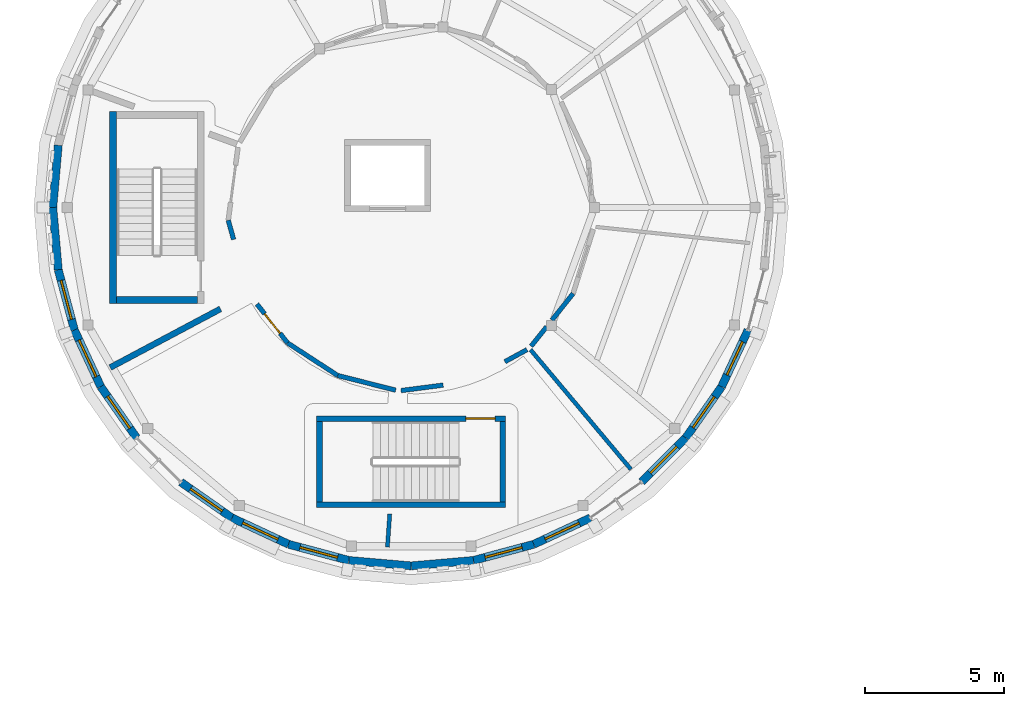
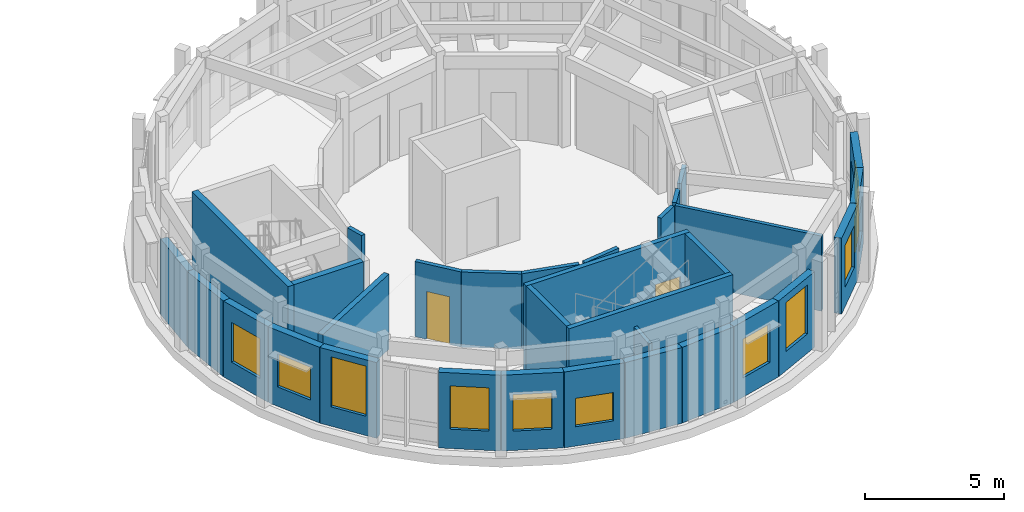
# One storey, part 32 of 58: 32 walls, 11 windows, 2 doors, 13 openings.
"""IFC4 building model written with IfcOpenShell, lengths in metres."""

from ifc_helpers import new_model, si_unit, direction, frame, frame_2d, origin, place, context, subcontext, project, spatial, rectangle, extrude, material, layer, layer_set, type_object, element, fill, save


model = new_model("IFC4")

# Units and contexts
model_context = context("Model", 3, precision=1e-05, world=origin(), true_north=direction((0.0, 1.0)))
body_context = subcontext(model_context, "Body", "Model", "MODEL_VIEW")
ifc_project = project(units=[si_unit("LENGTHUNIT", "METRE"), si_unit("AREAUNIT", "SQUARE_METRE"), si_unit("VOLUMEUNIT", "CUBIC_METRE"), si_unit("PLANEANGLEUNIT", "RADIAN"), si_unit("MASSUNIT", "GRAM", prefix="KILO")], contexts=[model_context])

# Site, building, storey
site_placement = place(None, origin())
site = spatial("IfcSite", under=ifc_project, at=site_placement, CompositionType="ELEMENT")
building_placement = place(site_placement, origin())
building = spatial("IfcBuilding", under=site, at=building_placement, Name="Aldenvaro Health Centre", CompositionType="ELEMENT")
storey_placement = place(building_placement, frame((0.0, 0.0, 8.75)))
storey = spatial("IfcBuildingStorey", under=building, at=storey_placement, Name="L02", CompositionType="ELEMENT", Elevation=8.75)

# Walls
ifc_material_1 = material(Name="Gypsum Stud Acoustic Assembly")
ifc_layer_1 = layer(ifc_material_1, 0.14501953125, Name="Gypsum Stud Acoustic Assembly")
ifc_layer_set_1 = layer_set([ifc_layer_1], Name="Gypsum Stud Acoustic Assembly")
wall_type_1 = type_object("IfcWallType", Name="WL-CLN-145", PredefinedType="PARTITIONING", material=ifc_layer_set_1)
wall_1_placement = place(storey_placement, frame((17.72900390625, 7.469970703125, 0.0), z_axis=(0.0, 0.0, 1.0), x_axis=(-0.070159946762, -0.997535754683, 0.0)))
element("IfcWall", 1, at=wall_1_placement, inside=storey, type_object=wall_type_1, Name="D5 L02 clinical partition 4.2", PredefinedType="PARTITIONING", context=body_context, shape_type="SweptSolid", body=[
    extrude(rectangle(XDim=1.197021484375, YDim=0.14501953125, at=frame_2d((0.5986328125, 0.0))), origin(), (0.0, 0.0, 1.0), 3.303955078125),
])
wall_2_placement = place(storey_placement, frame((22.7958984375, 13.381103515625, 0.0), z_axis=(0.0, 0.0, 1.0), x_axis=(0.642818869514, -0.766018211923, 0.0)))
element("IfcWall", 2, at=wall_2_placement, inside=storey, type_object=wall_type_1, Name="D5 L02 clinical partition 5.1", PredefinedType="PARTITIONING", context=body_context, shape_type="SweptSolid", body=[
    extrude(rectangle(XDim=5.615966796875, YDim=0.14501953125, at=frame_2d((2.80810546875, 0.0))), origin(), (0.0, 0.0, 1.0), 3.303955078125),
])
ifc_layer_2 = layer(ifc_material_1, 0.1650390625, Name="Gypsum Stud Acoustic Assembly")
ifc_layer_set_2 = layer_set([ifc_layer_2], Name="Gypsum Stud Acoustic Assembly")
wall_type_2 = type_object("IfcWallType", Name="WL-COR-165", PredefinedType="PARTITIONING", material=ifc_layer_set_2)
wall_3_placement = place(storey_placement, frame((11.916015625, 18.0400390625, 0.0), z_axis=(0.0, 0.0, 1.0), x_axis=(0.267960344866, -0.963429942227, 0.0)))
element("IfcWall", 3, at=wall_3_placement, inside=storey, type_object=wall_type_2, Name="D5 L02 corridor wall 02.2", PredefinedType="PARTITIONING", context=body_context, shape_type="SweptSolid", body=[
    extrude(rectangle(XDim=0.716064453125, YDim=0.1650390625, at=frame_2d((0.35791015625, 0.0))), origin(), (0.0, 0.0, 1.0), 3.303955078125),
])

# Wall, opening, door
wall_4_placement = place(storey_placement, frame((12.949951171875, 15.02197265625, 0.0), z_axis=(0.0, 0.0, 1.0), x_axis=(0.619021057701, -0.785374388507, 0.0)))
wall_4 = element("IfcWall", 4, at=wall_4_placement, inside=storey, type_object=wall_type_2, Name="D5 L02 corridor wall 03.1", PredefinedType="PARTITIONING", context=body_context, shape_type="SweptSolid", body=[
    extrude(rectangle(XDim=1.77880859375, YDim=0.1650390625, at=frame_2d((0.889404296875, 0.0))), origin(), (0.0, 0.0, 1.0), 3.303955078125),
])
opening_1_placement = place(wall_4_placement, frame((0.43994140625, 0.0, 0.0)))
opening_1 = element("IfcOpeningElement", 5, at=opening_1_placement, cuts=wall_4, Name="Opening WD-01", PredefinedType="OPENING", context=body_context, shape_type="SweptSolid", body=[
    extrude(rectangle(XDim=0.89990234375, YDim=2.10009765625, at=frame_2d((0.449951171875, 1.050048828125))), frame((0.0, 0.092529296875, 0.0), z_axis=(0.0, -1.0, 0.0), x_axis=(1.0, 0.0, 0.0)), (0.0, 0.0, 1.0), 0.18505859375),
])
ifc_material_2 = material(Name="Moisture-Resistant Laminate Door")
door_type_1 = type_object("IfcDoorType", Name="DR-WC-01", OperationType="NOTDEFINED", PredefinedType="DOOR", material=ifc_material_2)
door_1_placement = place(opening_1_placement, origin())
door_1 = element("IfcDoor", 6, at=door_1_placement, inside=storey, type_object=door_type_1, Name="Radiologist PACS Reading Room Door", OperationType="SINGLE_SWING_RIGHT", OverallHeight=2.10009765625, OverallWidth=0.89990234375, PredefinedType="DOOR", context=body_context, shape_type="SweptSolid", body=[
    extrude(rectangle(XDim=0.89990234375, YDim=2.10009765625, at=frame_2d((0.449951171875, 1.050048828125))), frame((0.0, 0.02490234375, 0.0), z_axis=(0.0, -1.0, 0.0), x_axis=(1.0, 0.0, 0.0)), (0.0, 0.0, 1.0), 0.050048828125),
])
fill(opening_1, door_1)

# Walls
wall_5_placement = place(storey_placement, frame((14.051025390625, 13.625, 0.0), z_axis=(0.0, 0.0, 1.0), x_axis=(0.838674212558, -0.544633422763, 0.0)))
element("IfcWall", 7, at=wall_5_placement, inside=storey, type_object=wall_type_2, Name="D5 L02 corridor wall 03.2", PredefinedType="PARTITIONING", context=body_context, shape_type="SweptSolid", body=[
    extrude(rectangle(XDim=2.152099609375, YDim=0.1650390625, at=frame_2d((1.076171875, 0.0))), origin(), (0.0, 0.0, 1.0), 3.303955078125),
])
wall_6_placement = place(storey_placement, frame((15.85595703125, 12.452880859375, 0.0), z_axis=(0.0, 0.0, 1.0), x_axis=(0.969336371772, -0.245737661664, 0.0)))
element("IfcWall", 8, at=wall_6_placement, inside=storey, type_object=wall_type_2, Name="D5 L02 corridor wall 03.3", PredefinedType="PARTITIONING", context=body_context, shape_type="SweptSolid", body=[
    extrude(rectangle(XDim=2.15185546875, YDim=0.1650390625, at=frame_2d((1.075927734375, 0.0))), origin(), (0.0, 0.0, 1.0), 3.303955078125),
])
wall_7_placement = place(storey_placement, frame((18.136962890625, 11.909912109375, 0.0), z_axis=(0.0, 0.0, 1.0), x_axis=(0.991627158641, 0.129133954659, 0.0)))
element("IfcWall", 9, at=wall_7_placement, inside=storey, type_object=wall_type_2, Name="D5 L02 corridor wall 04.1", PredefinedType="PARTITIONING", context=body_context, shape_type="SweptSolid", body=[
    extrude(rectangle(XDim=1.525634765625, YDim=0.1650390625, at=frame_2d((0.7626953125, 0.0))), origin(), (0.0, 0.0, 1.0), 3.303955078125),
])
wall_8_placement = place(storey_placement, frame((21.8740234375, 12.949951171875, 0.0), z_axis=(0.0, 0.0, 1.0), x_axis=(0.878081476712, 0.478511149563, 0.0)))
element("IfcWall", 10, at=wall_8_placement, inside=storey, type_object=wall_type_2, Name="D5 L02 corridor wall 04.2", PredefinedType="PARTITIONING", context=body_context, shape_type="SweptSolid", body=[
    extrude(rectangle(XDim=0.903076171875, YDim=0.1650390625, at=frame_2d((0.45166015625, 0.0))), origin(), (0.0, 0.0, 1.0), 3.303955078125),
])
wall_9_placement = place(storey_placement, frame((22.81689453125, 13.508056640625, 0.0), z_axis=(0.0, 0.0, 1.0), x_axis=(0.623430420195, 0.781878834076, 0.0)))
element("IfcWall", 11, at=wall_9_placement, inside=storey, type_object=wall_type_2, Name="D5 L02 corridor wall 05.1", PredefinedType="PARTITIONING", context=body_context, shape_type="SweptSolid", body=[
    extrude(rectangle(XDim=0.895263671875, YDim=0.1650390625, at=frame_2d((0.44775390625, 0.0))), origin(), (0.0, 0.0, 1.0), 3.303955078125),
])
wall_10_placement = place(storey_placement, frame((23.56494140625, 14.445068359375, 0.0), z_axis=(0.0, 0.0, 1.0), x_axis=(0.623354481925, 0.781939377359, 0.0)))
element("IfcWall", 12, at=wall_10_placement, inside=storey, type_object=wall_type_2, Name="D5 L02 corridor wall 05.2", PredefinedType="PARTITIONING", context=body_context, shape_type="SweptSolid", body=[
    extrude(rectangle(XDim=1.222412109375, YDim=0.1650390625, at=frame_2d((0.611328125, 0.0))), origin(), (0.0, 0.0, 1.0), 3.303955078125),
])

# Wall, opening, window
ifc_material_3 = material(Name="Cross-laminated timber CLT E1", Category="wood")
ifc_layer_3 = layer(ifc_material_3, 0.2900390625, Name="Cross-laminated timber CLT E1", Category="wood")
ifc_layer_set_3 = layer_set([ifc_layer_3], Name="Cross-laminated timber CLT E1")
wall_type_3 = type_object("IfcWallType", Name="WL-EXT-290", PredefinedType="ELEMENTEDWALL", material=ifc_layer_set_3)
wall_11_placement = place(storey_placement, frame((30.6220703125, 14.087890625, 0.0), z_axis=(0.0, 0.0, 1.0), x_axis=(-0.422504983593, -0.906360600886, 0.0)))
wall_11 = element("IfcWall", 13, at=wall_11_placement, inside=storey, type_object=wall_type_3, Name="D5 L02 exterior wall 03", PredefinedType="ELEMENTEDWALL", context=body_context, shape_type="SweptSolid", body=[
    extrude(rectangle(XDim=2.248291015625, YDim=0.2900390625, at=frame_2d((1.1240234375, 0.0))), origin(), (0.0, 0.0, 1.0), 3.3291015625),
])
opening_2_placement = place(wall_11_placement, frame((0.464111328125, 0.0, 0.85009765625)))
opening_2 = element("IfcOpeningElement", 14, at=opening_2_placement, cuts=wall_11, Name="Opening W-50", PredefinedType="OPENING", context=body_context, shape_type="SweptSolid", body=[
    extrude(rectangle(XDim=1.320068359375, YDim=1.550048828125, at=frame_2d((0.66015625, 0.77490234375))), frame((0.0, 0.155029296875, 0.0), z_axis=(0.0, -1.0, 0.0), x_axis=(1.0, 0.0, 0.0)), (0.0, 0.0, 1.0), 0.31005859375),
])
ifc_material_4 = material(Name="Thermally Broken Aluminium Low-E Glass", Category="aluminium")
window_type_1 = type_object("IfcWindowType", Name="WN-EXT-50", PartitioningType="SINGLE_PANEL", PredefinedType="WINDOW", material=ifc_material_4)
window_1_placement = place(opening_2_placement, origin())
window_1 = element("IfcWindow", 15, at=window_1_placement, inside=storey, type_object=window_type_1, Name="D5 L02 clinical window 03", OverallHeight=1.550048828125, OverallWidth=1.320068359375, PartitioningType="SINGLE_PANEL", PredefinedType="WINDOW", context=body_context, shape_type="SweptSolid", body=[
    extrude(rectangle(XDim=1.320068359375, YDim=1.550048828125, at=frame_2d((0.66015625, 0.77490234375))), frame((0.0, 0.030029296875, 0.0), z_axis=(0.0, -1.0, 0.0), x_axis=(1.0, 0.0, 0.0)), (0.0, 0.0, 1.0), 0.06005859375),
])
fill(opening_2, window_1)

wall_12_placement = place(storey_placement, frame((29.672119140625, 12.050048828125, 0.0), z_axis=(0.0, 0.0, 1.0), x_axis=(-0.573644482107, -0.819104393925, 0.0)))
wall_12 = element("IfcWall", 16, at=wall_12_placement, inside=storey, type_object=wall_type_3, Name="D5 L02 exterior wall 04", PredefinedType="ELEMENTEDWALL", context=body_context, shape_type="SweptSolid", body=[
    extrude(rectangle(XDim=2.248779296875, YDim=0.2900390625, at=frame_2d((1.12451171875, 0.0))), origin(), (0.0, 0.0, 1.0), 3.3291015625),
])
opening_3_placement = place(wall_12_placement, frame((0.448974609375, 0.0, 0.85009765625)))
opening_3 = element("IfcOpeningElement", 17, at=opening_3_placement, cuts=wall_12, Name="Opening W-51", PredefinedType="OPENING", context=body_context, shape_type="SweptSolid", body=[
    extrude(rectangle(XDim=1.35009765625, YDim=1.550048828125, at=frame_2d((0.675048828125, 0.77490234375))), frame((0.0, 0.155029296875, 0.0), z_axis=(0.0, -1.0, 0.0), x_axis=(1.0, 0.0, 0.0)), (0.0, 0.0, 1.0), 0.31005859375),
])
window_type_2 = type_object("IfcWindowType", Name="WN-EXT-51", PartitioningType="SINGLE_PANEL", PredefinedType="WINDOW", material=ifc_material_4)
window_2_placement = place(opening_3_placement, origin())
window_2 = element("IfcWindow", 18, at=window_2_placement, inside=storey, type_object=window_type_2, Name="D5 L02 clinical window 04", OverallHeight=1.550048828125, OverallWidth=1.35009765625, PartitioningType="SINGLE_PANEL", PredefinedType="WINDOW", context=body_context, shape_type="SweptSolid", body=[
    extrude(rectangle(XDim=1.35009765625, YDim=1.550048828125, at=frame_2d((0.675048828125, 0.77490234375))), frame((0.0, 0.030029296875, 0.0), z_axis=(0.0, -1.0, 0.0), x_axis=(1.0, 0.0, 0.0)), (0.0, 0.0, 1.0), 0.06005859375),
])
fill(opening_3, window_2)

wall_13_placement = place(storey_placement, frame((28.382080078125, 10.2080078125, 0.0), z_axis=(0.0, 0.0, 1.0), x_axis=(-0.707106781187, -0.707106781187, 0.0)))
wall_13 = element("IfcWall", 19, at=wall_13_placement, inside=storey, type_object=wall_type_3, Name="D5 L02 exterior wall 05", PredefinedType="ELEMENTEDWALL", context=body_context, shape_type="SweptSolid", body=[
    extrude(rectangle(XDim=2.248779296875, YDim=0.2900390625, at=frame_2d((1.12451171875, 0.0))), origin(), (0.0, 0.0, 1.0), 3.3291015625),
])
opening_4_placement = place(wall_13_placement, frame((0.448974609375, 0.0, 0.85009765625)))
opening_4 = element("IfcOpeningElement", 20, at=opening_4_placement, cuts=wall_13, Name="Opening W-52", PredefinedType="OPENING", context=body_context, shape_type="SweptSolid", body=[
    extrude(rectangle(XDim=1.35009765625, YDim=1.85009765625, at=frame_2d((0.675048828125, 0.925048828125))), frame((0.0, 0.155029296875, 0.0), z_axis=(0.0, -1.0, 0.0), x_axis=(1.0, 0.0, 0.0)), (0.0, 0.0, 1.0), 0.31005859375),
])
window_type_3 = type_object("IfcWindowType", Name="WN-EXT-52", PartitioningType="SINGLE_PANEL", PredefinedType="WINDOW", material=ifc_material_4)
window_3_placement = place(opening_4_placement, origin())
window_3 = element("IfcWindow", 21, at=window_3_placement, inside=storey, type_object=window_type_3, Name="D5 L02 clinical window 05", OverallHeight=1.85009765625, OverallWidth=1.35009765625, PartitioningType="SINGLE_PANEL", PredefinedType="WINDOW", context=body_context, shape_type="SweptSolid", body=[
    extrude(rectangle(XDim=1.35009765625, YDim=1.85009765625, at=frame_2d((0.675048828125, 0.925048828125))), frame((0.0, 0.030029296875, 0.0), z_axis=(0.0, -1.0, 0.0), x_axis=(1.0, 0.0, 0.0)), (0.0, 0.0, 1.0), 0.06005859375),
])
fill(opening_4, window_3)

wall_14_placement = place(storey_placement, frame((24.949951171875, 7.327880859375, 0.0), z_axis=(0.0, 0.0, 1.0), x_axis=(-0.906360600886, -0.422504983593, 0.0)))
wall_14 = element("IfcWall", 22, at=wall_14_placement, inside=storey, type_object=wall_type_3, Name="D5 L02 exterior wall 07", PredefinedType="ELEMENTEDWALL", context=body_context, shape_type="SweptSolid", body=[
    extrude(rectangle(XDim=2.248291015625, YDim=0.2900390625, at=frame_2d((1.1240234375, 0.0))), origin(), (0.0, 0.0, 1.0), 3.3291015625),
])
opening_5_placement = place(wall_14_placement, frame((0.448974609375, 0.0, 0.85009765625)))
opening_5 = element("IfcOpeningElement", 23, at=opening_5_placement, cuts=wall_14, Name="Opening W-53", PredefinedType="OPENING", context=body_context, shape_type="SweptSolid", body=[
    extrude(rectangle(XDim=1.35009765625, YDim=2.14990234375, at=frame_2d((0.675048828125, 1.074951171875))), frame((0.0, 0.155029296875, 0.0), z_axis=(0.0, -1.0, 0.0), x_axis=(1.0, 0.0, 0.0)), (0.0, 0.0, 1.0), 0.31005859375),
])
window_type_4 = type_object("IfcWindowType", Name="WN-EXT-53", PartitioningType="SINGLE_PANEL", PredefinedType="WINDOW", material=ifc_material_4)
window_4_placement = place(opening_5_placement, origin())
window_4 = element("IfcWindow", 24, at=window_4_placement, inside=storey, type_object=window_type_4, Name="D5 L02 clinical window 07", OverallHeight=2.14990234375, OverallWidth=1.35009765625, PartitioningType="SINGLE_PANEL", PredefinedType="WINDOW", context=body_context, shape_type="SweptSolid", body=[
    extrude(rectangle(XDim=1.35009765625, YDim=2.14990234375, at=frame_2d((0.675048828125, 1.074951171875))), frame((0.0, 0.030029296875, 0.0), z_axis=(0.0, -1.0, 0.0), x_axis=(1.0, 0.0, 0.0)), (0.0, 0.0, 1.0), 0.06005859375),
])
fill(opening_5, window_4)

wall_15_placement = place(storey_placement, frame((22.912109375, 6.3779296875, 0.0), z_axis=(0.0, 0.0, 1.0), x_axis=(-0.96592430538, -0.258824721145, 0.0)))
wall_15 = element("IfcWall", 25, at=wall_15_placement, inside=storey, type_object=wall_type_3, Name="D5 L02 exterior wall 08", PredefinedType="ELEMENTEDWALL", context=body_context, shape_type="SweptSolid", body=[
    extrude(rectangle(XDim=2.248779296875, YDim=0.2900390625, at=frame_2d((1.12451171875, 0.0))), origin(), (0.0, 0.0, 1.0), 3.3291015625),
])
opening_6_placement = place(wall_15_placement, frame((0.43408203125, 0.0, 0.85009765625)))
opening_6 = element("IfcOpeningElement", 26, at=opening_6_placement, cuts=wall_15, Name="Opening W-54", PredefinedType="OPENING", context=body_context, shape_type="SweptSolid", body=[
    extrude(rectangle(XDim=1.3798828125, YDim=1.699951171875, at=frame_2d((0.68994140625, 0.85009765625))), frame((0.0, 0.155029296875, 0.0), z_axis=(0.0, -1.0, 0.0), x_axis=(1.0, 0.0, 0.0)), (0.0, 0.0, 1.0), 0.31005859375),
])
window_type_5 = type_object("IfcWindowType", Name="WN-EXT-54", PartitioningType="SINGLE_PANEL", PredefinedType="WINDOW", material=ifc_material_4)
window_5_placement = place(opening_6_placement, origin())
window_5 = element("IfcWindow", 27, at=window_5_placement, inside=storey, type_object=window_type_5, Name="D5 L02 clinical window 08", OverallHeight=1.699951171875, OverallWidth=1.3798828125, PartitioningType="SINGLE_PANEL", PredefinedType="WINDOW", context=body_context, shape_type="SweptSolid", body=[
    extrude(rectangle(XDim=1.3798828125, YDim=1.699951171875, at=frame_2d((0.68994140625, 0.85009765625))), frame((0.0, 0.030029296875, 0.0), z_axis=(0.0, -1.0, 0.0), x_axis=(1.0, 0.0, 0.0)), (0.0, 0.0, 1.0), 0.06005859375),
])
fill(opening_6, window_5)

# Walls
for number, where, z_axis, x_axis, name in (
    (28, (20.739990234375, 5.7958984375, 0.0), (0.0, 0.0, 1.0), (-0.996201374201, -0.087079400775, 0.0), "D5 L02 exterior wall 09"),
    (29, (18.5, 5.60009765625, 0.0), (0.0, 0.0, 1.0), (-0.996201374201, 0.087079400775, 0.0), "D5 L02 exterior wall 10"),
):
    element("IfcWall", number, at=place(storey_placement, frame(where, z_axis=z_axis, x_axis=x_axis)), inside=storey, type_object=wall_type_3, Name=name, PredefinedType="ELEMENTEDWALL", context=body_context, shape_type="SweptSolid", body=[
        extrude(rectangle(XDim=2.24853515625, YDim=0.2900390625, at=frame_2d((1.124267578125, 0.0))), origin(), (0.0, 0.0, 1.0), 3.3291015625),
    ])

# Wall, opening, window
wall_16_placement = place(storey_placement, frame((16.260009765625, 5.7958984375, 0.0), z_axis=(0.0, 0.0, 1.0), x_axis=(-0.96592430538, 0.258824721145, 0.0)))
wall_16 = element("IfcWall", 30, at=wall_16_placement, inside=storey, type_object=wall_type_3, Name="D5 L02 exterior wall 11", PredefinedType="ELEMENTEDWALL", context=body_context, shape_type="SweptSolid", body=[
    extrude(rectangle(XDim=2.248779296875, YDim=0.2900390625, at=frame_2d((1.12451171875, 0.0))), origin(), (0.0, 0.0, 1.0), 3.3291015625),
])
opening_7_placement = place(wall_16_placement, frame((0.424072265625, 0.0, 0.85009765625)))
opening_7 = element("IfcOpeningElement", 31, at=opening_7_placement, cuts=wall_16, Name="Opening W-55", PredefinedType="OPENING", context=body_context, shape_type="SweptSolid", body=[
    extrude(rectangle(XDim=1.39990234375, YDim=1.25, at=frame_2d((0.699951171875, 0.625))), frame((0.0, 0.155029296875, 0.0), z_axis=(0.0, -1.0, 0.0), x_axis=(1.0, 0.0, 0.0)), (0.0, 0.0, 1.0), 0.31005859375),
])
window_type_6 = type_object("IfcWindowType", Name="WN-EXT-55", PartitioningType="SINGLE_PANEL", PredefinedType="WINDOW", material=ifc_material_4)
window_6_placement = place(opening_7_placement, origin())
window_6 = element("IfcWindow", 32, at=window_6_placement, inside=storey, type_object=window_type_6, Name="D5 L02 clinical window 11", OverallHeight=1.25, OverallWidth=1.39990234375, PartitioningType="SINGLE_PANEL", PredefinedType="WINDOW", context=body_context, shape_type="SweptSolid", body=[
    extrude(rectangle(XDim=1.39990234375, YDim=1.25, at=frame_2d((0.699951171875, 0.625))), frame((0.0, 0.030029296875, 0.0), z_axis=(0.0, -1.0, 0.0), x_axis=(1.0, 0.0, 0.0)), (0.0, 0.0, 1.0), 0.06005859375),
])
fill(opening_7, window_6)

wall_17_placement = place(storey_placement, frame((14.087890625, 6.3779296875, 0.0), z_axis=(0.0, 0.0, 1.0), x_axis=(-0.906360600886, 0.422504983593, 0.0)))
wall_17 = element("IfcWall", 33, at=wall_17_placement, inside=storey, type_object=wall_type_3, Name="D5 L02 exterior wall 12", PredefinedType="ELEMENTEDWALL", context=body_context, shape_type="SweptSolid", body=[
    extrude(rectangle(XDim=2.248291015625, YDim=0.2900390625, at=frame_2d((1.1240234375, 0.0))), origin(), (0.0, 0.0, 1.0), 3.3291015625),
])
opening_8_placement = place(wall_17_placement, frame((0.424072265625, 0.0, 0.85009765625)))
opening_8 = element("IfcOpeningElement", 34, at=opening_8_placement, cuts=wall_17, Name="Opening W-56", PredefinedType="OPENING", context=body_context, shape_type="SweptSolid", body=[
    extrude(rectangle(XDim=1.39990234375, YDim=1.60009765625, at=frame_2d((0.699951171875, 0.800048828125))), frame((0.0, 0.155029296875, 0.0), z_axis=(0.0, -1.0, 0.0), x_axis=(1.0, 0.0, 0.0)), (0.0, 0.0, 1.0), 0.31005859375),
])
window_type_7 = type_object("IfcWindowType", Name="WN-EXT-56", PartitioningType="SINGLE_PANEL", PredefinedType="WINDOW", material=ifc_material_4)
window_7_placement = place(opening_8_placement, origin())
window_7 = element("IfcWindow", 35, at=window_7_placement, inside=storey, type_object=window_type_7, Name="D5 L02 clinical window 12", OverallHeight=1.60009765625, OverallWidth=1.39990234375, PartitioningType="SINGLE_PANEL", PredefinedType="WINDOW", context=body_context, shape_type="SweptSolid", body=[
    extrude(rectangle(XDim=1.39990234375, YDim=1.60009765625, at=frame_2d((0.699951171875, 0.800048828125))), frame((0.0, 0.030029296875, 0.0), z_axis=(0.0, -1.0, 0.0), x_axis=(1.0, 0.0, 0.0)), (0.0, 0.0, 1.0), 0.06005859375),
])
fill(opening_8, window_7)

wall_18_placement = place(storey_placement, frame((12.050048828125, 7.327880859375, 0.0), z_axis=(0.0, 0.0, 1.0), x_axis=(-0.819104393925, 0.573644482107, 0.0)))
wall_18 = element("IfcWall", 36, at=wall_18_placement, inside=storey, type_object=wall_type_3, Name="D5 L02 exterior wall 13", PredefinedType="ELEMENTEDWALL", context=body_context, shape_type="SweptSolid", body=[
    extrude(rectangle(XDim=2.248779296875, YDim=0.2900390625, at=frame_2d((1.12451171875, 0.0))), origin(), (0.0, 0.0, 1.0), 3.3291015625),
])
opening_9_placement = place(wall_18_placement, frame((0.424072265625, 0.0, 0.85009765625)))
opening_9 = element("IfcOpeningElement", 37, at=opening_9_placement, cuts=wall_18, Name="Opening W-57", PredefinedType="OPENING", context=body_context, shape_type="SweptSolid", body=[
    extrude(rectangle(XDim=1.39990234375, YDim=1.89990234375, at=frame_2d((0.699951171875, 0.949951171875))), frame((0.0, 0.155029296875, 0.0), z_axis=(0.0, -1.0, 0.0), x_axis=(1.0, 0.0, 0.0)), (0.0, 0.0, 1.0), 0.31005859375),
])
window_type_8 = type_object("IfcWindowType", Name="WN-EXT-57", PartitioningType="SINGLE_PANEL", PredefinedType="WINDOW", material=ifc_material_4)
window_8_placement = place(opening_9_placement, origin())
window_8 = element("IfcWindow", 38, at=window_8_placement, inside=storey, type_object=window_type_8, Name="D5 L02 clinical window 13", OverallHeight=1.89990234375, OverallWidth=1.39990234375, PartitioningType="SINGLE_PANEL", PredefinedType="WINDOW", context=body_context, shape_type="SweptSolid", body=[
    extrude(rectangle(XDim=1.39990234375, YDim=1.89990234375, at=frame_2d((0.699951171875, 0.949951171875))), frame((0.0, 0.030029296875, 0.0), z_axis=(0.0, -1.0, 0.0), x_axis=(1.0, 0.0, 0.0)), (0.0, 0.0, 1.0), 0.06005859375),
])
fill(opening_9, window_8)

wall_19_placement = place(storey_placement, frame((8.617919921875, 10.2080078125, 0.0), z_axis=(0.0, 0.0, 1.0), x_axis=(-0.573644482107, 0.819104393925, 0.0)))
wall_19 = element("IfcWall", 39, at=wall_19_placement, inside=storey, type_object=wall_type_3, Name="D5 L02 exterior wall 15", PredefinedType="ELEMENTEDWALL", context=body_context, shape_type="SweptSolid", body=[
    extrude(rectangle(XDim=2.248779296875, YDim=0.2900390625, at=frame_2d((1.12451171875, 0.0))), origin(), (0.0, 0.0, 1.0), 3.3291015625),
])
opening_10_placement = place(wall_19_placement, frame((0.424072265625, 0.0, 0.85009765625)))
opening_10 = element("IfcOpeningElement", 40, at=opening_10_placement, cuts=wall_19, Name="Opening W-58", PredefinedType="OPENING", context=body_context, shape_type="SweptSolid", body=[
    extrude(rectangle(XDim=1.39990234375, YDim=2.199951171875, at=frame_2d((0.699951171875, 1.10009765625))), frame((0.0, 0.155029296875, 0.0), z_axis=(0.0, -1.0, 0.0), x_axis=(1.0, 0.0, 0.0)), (0.0, 0.0, 1.0), 0.31005859375),
])
window_type_9 = type_object("IfcWindowType", Name="WN-EXT-58", PartitioningType="SINGLE_PANEL", PredefinedType="WINDOW", material=ifc_material_4)
window_9_placement = place(opening_10_placement, origin())
window_9 = element("IfcWindow", 41, at=window_9_placement, inside=storey, type_object=window_type_9, Name="D5 L02 clinical window 15", OverallHeight=2.199951171875, OverallWidth=1.39990234375, PartitioningType="SINGLE_PANEL", PredefinedType="WINDOW", context=body_context, shape_type="SweptSolid", body=[
    extrude(rectangle(XDim=1.39990234375, YDim=2.199951171875, at=frame_2d((0.699951171875, 1.10009765625))), frame((0.0, 0.030029296875, 0.0), z_axis=(0.0, -1.0, 0.0), x_axis=(1.0, 0.0, 0.0)), (0.0, 0.0, 1.0), 0.06005859375),
])
fill(opening_10, window_9)

wall_20_placement = place(storey_placement, frame((7.327880859375, 12.050048828125, 0.0), z_axis=(0.0, 0.0, 1.0), x_axis=(-0.422504983593, 0.906360600886, 0.0)))
wall_20 = element("IfcWall", 42, at=wall_20_placement, inside=storey, type_object=wall_type_3, Name="D5 L02 exterior wall 16", PredefinedType="ELEMENTEDWALL", context=body_context, shape_type="SweptSolid", body=[
    extrude(rectangle(XDim=2.248291015625, YDim=0.2900390625, at=frame_2d((1.1240234375, 0.0))), origin(), (0.0, 0.0, 1.0), 3.3291015625),
])
opening_11_placement = place(wall_20_placement, frame((0.39892578125, 0.0, 0.85009765625)))
opening_11 = element("IfcOpeningElement", 43, at=opening_11_placement, cuts=wall_20, Name="Opening W-59", PredefinedType="OPENING", context=body_context, shape_type="SweptSolid", body=[
    extrude(rectangle(XDim=1.449951171875, YDim=1.449951171875, at=frame_2d((0.72509765625, 0.72509765625))), frame((0.0, 0.155029296875, 0.0), z_axis=(0.0, -1.0, 0.0), x_axis=(1.0, 0.0, 0.0)), (0.0, 0.0, 1.0), 0.31005859375),
])
window_type_10 = type_object("IfcWindowType", Name="WN-EXT-59", PartitioningType="SINGLE_PANEL", PredefinedType="WINDOW", material=ifc_material_4)
window_10_placement = place(opening_11_placement, origin())
window_10 = element("IfcWindow", 44, at=window_10_placement, inside=storey, type_object=window_type_10, Name="D5 L02 clinical window 16", OverallHeight=1.449951171875, OverallWidth=1.449951171875, PartitioningType="SINGLE_PANEL", PredefinedType="WINDOW", context=body_context, shape_type="SweptSolid", body=[
    extrude(rectangle(XDim=1.449951171875, YDim=1.449951171875, at=frame_2d((0.72509765625, 0.72509765625))), frame((0.0, 0.030029296875, 0.0), z_axis=(0.0, -1.0, 0.0), x_axis=(1.0, 0.0, 0.0)), (0.0, 0.0, 1.0), 0.06005859375),
])
fill(opening_11, window_10)

wall_21_placement = place(storey_placement, frame((6.3779296875, 14.087890625, 0.0), z_axis=(0.0, 0.0, 1.0), x_axis=(-0.258824721145, 0.96592430538, 0.0)))
wall_21 = element("IfcWall", 45, at=wall_21_placement, inside=storey, type_object=wall_type_3, Name="D5 L02 exterior wall 17", PredefinedType="ELEMENTEDWALL", context=body_context, shape_type="SweptSolid", body=[
    extrude(rectangle(XDim=2.248779296875, YDim=0.2900390625, at=frame_2d((1.12451171875, 0.0))), origin(), (0.0, 0.0, 1.0), 3.3291015625),
])
opening_12_placement = place(wall_21_placement, frame((0.39892578125, 0.0, 0.85009765625)))
opening_12 = element("IfcOpeningElement", 46, at=opening_12_placement, cuts=wall_21, Name="Opening W-60", PredefinedType="OPENING", context=body_context, shape_type="SweptSolid", body=[
    extrude(rectangle(XDim=1.449951171875, YDim=1.75, at=frame_2d((0.72509765625, 0.875))), frame((0.0, 0.155029296875, 0.0), z_axis=(0.0, -1.0, 0.0), x_axis=(1.0, 0.0, 0.0)), (0.0, 0.0, 1.0), 0.31005859375),
])
window_type_11 = type_object("IfcWindowType", Name="WN-EXT-60", PartitioningType="SINGLE_PANEL", PredefinedType="WINDOW", material=ifc_material_4)
window_11_placement = place(opening_12_placement, origin())
window_11 = element("IfcWindow", 47, at=window_11_placement, inside=storey, type_object=window_type_11, Name="D5 L02 clinical window 17", OverallHeight=1.75, OverallWidth=1.449951171875, PartitioningType="SINGLE_PANEL", PredefinedType="WINDOW", context=body_context, shape_type="SweptSolid", body=[
    extrude(rectangle(XDim=1.449951171875, YDim=1.75, at=frame_2d((0.72509765625, 0.875))), frame((0.0, 0.030029296875, 0.0), z_axis=(0.0, -1.0, 0.0), x_axis=(1.0, 0.0, 0.0)), (0.0, 0.0, 1.0), 0.06005859375),
])
fill(opening_12, window_11)

# Walls
for number, where, z_axis, x_axis, name in (
    (48, (5.7958984375, 16.260009765625, 0.0), (0.0, 0.0, 1.0), (-0.087079400775, 0.996201374201, 0.0), "D5 L02 exterior wall 18"),
    (49, (5.60009765625, 18.5, 0.0), (0.0, 0.0, 1.0), (0.087079400775, 0.996201374201, 0.0), "D5 L02 exterior wall 19"),
):
    element("IfcWall", number, at=place(storey_placement, frame(where, z_axis=z_axis, x_axis=x_axis)), inside=storey, type_object=wall_type_3, Name=name, PredefinedType="ELEMENTEDWALL", context=body_context, shape_type="SweptSolid", body=[
        extrude(rectangle(XDim=2.24853515625, YDim=0.2900390625, at=frame_2d((1.124267578125, 0.0))), origin(), (0.0, 0.0, 1.0), 3.3291015625),
    ])
ifc_material_5 = material(Name="Concrete f'c 35 MPa", Category="concrete")
ifc_layer_4 = layer(ifc_material_5, 0.215087890625, Name="Concrete f'c 35 MPa", Category="concrete")
ifc_layer_set_4 = layer_set([ifc_layer_4], Name="Concrete f'c 35 MPa")
wall_type_4 = type_object("IfcWallType", Name="WL-IMG-215", PredefinedType="SOLIDWALL", material=ifc_layer_set_4)
wall_22_placement = place(storey_placement, frame((11.635009765625, 14.85009765625, 0.0), z_axis=(0.0, 0.0, 1.0), x_axis=(-0.882922222435, -0.469519274504, 0.0)))
element("IfcWall", 50, at=wall_22_placement, inside=storey, type_object=wall_type_4, Name="D5 L02 clinical partition 3.1", PredefinedType="SOLIDWALL", context=body_context, shape_type="SweptSolid", body=[
    extrude(rectangle(XDim=4.494140625, YDim=0.215087890625, at=frame_2d((2.2470703125, 0.0))), origin(), (0.0, 0.0, 1.0), 3.303955078125),
])

# Wall, opening, door
ifc_material_6 = material(Name="Concrete f'c 40 MPa", Category="concrete")
ifc_layer_5 = layer(ifc_material_6, 0.199951171875, Name="Concrete f'c 40 MPa", Category="concrete")
ifc_layer_set_5 = layer_set([ifc_layer_5], Name="Concrete f'c 40 MPa")
wall_type_5 = type_object("IfcWallType", Name="WL-SHAFT-200", PredefinedType="SHEAR", material=ifc_layer_set_5)
wall_23_placement = place(storey_placement, frame((21.89990234375, 10.89990234375, 0.0), z_axis=(0.0, 0.0, 1.0), x_axis=(-1.0, 0.0, 0.0)))
wall_23 = element("IfcWall", 51, at=wall_23_placement, inside=storey, type_object=wall_type_5, Name="ST-10 L02 inner core wall", PredefinedType="SHEAR", context=body_context, shape_type="SweptSolid", body=[
    extrude(rectangle(XDim=6.7998046875, YDim=0.199951171875, at=frame_2d((3.39990234375, 0.0))), origin(), (0.0, 0.0, 1.0), 3.97509765625),
])
opening_13_placement = place(wall_23_placement, frame((0.3798828125, 0.0, 0.0)))
opening_13 = element("IfcOpeningElement", 52, at=opening_13_placement, cuts=wall_23, Name="Opening FD-02", PredefinedType="OPENING", context=body_context, shape_type="SweptSolid", body=[
    extrude(rectangle(XDim=1.050048828125, YDim=2.14990234375, at=frame_2d((0.52490234375, 1.074951171875))), frame((0.0, 0.10986328125, 0.0), z_axis=(0.0, -1.0, 0.0), x_axis=(1.0, 0.0, 0.0)), (0.0, 0.0, 1.0), 0.219970703125),
])
ifc_material_7 = material(Name="Fire-Rated Steel Door Assembly", Category="steel")
door_type_2 = type_object("IfcDoorType", Name="DR-STAIR-105", OperationType="NOTDEFINED", PredefinedType="DOOR", material=ifc_material_7)
door_2_placement = place(opening_13_placement, origin())
door_2 = element("IfcDoor", 53, at=door_2_placement, inside=storey, type_object=door_type_2, Name="ST-10 L02 fire stair door", OperationType="SINGLE_SWING_RIGHT", OverallHeight=2.14990234375, OverallWidth=1.050048828125, PredefinedType="DOOR", context=body_context, shape_type="SweptSolid", body=[
    extrude(rectangle(XDim=1.050048828125, YDim=2.14990234375, at=frame_2d((0.52490234375, 1.074951171875))), frame((0.0, 0.02490234375, 0.0), z_axis=(0.0, -1.0, 0.0), x_axis=(1.0, 0.0, 0.0)), (0.0, 0.0, 1.0), 0.050048828125),
])
fill(opening_13, door_2)

# Walls
wall_24_placement = place(storey_placement, frame((21.89990234375, 7.800048828125, 0.0), z_axis=(0.0, 0.0, 1.0), x_axis=(-1.0, 0.0, 0.0)))
element("IfcWall", 54, at=wall_24_placement, inside=storey, type_object=wall_type_5, Name="ST-10 L02 far core wall", PredefinedType="SHEAR", context=body_context, shape_type="SweptSolid", body=[
    extrude(rectangle(XDim=6.7998046875, YDim=0.199951171875, at=frame_2d((3.39990234375, 0.0))), origin(), (0.0, 0.0, 1.0), 3.97509765625),
])
for number, where, z_axis, x_axis, name in (
    (55, (21.800048828125, 10.800048828125, 0.0), (0.0, 0.0, 1.0), (0.0, -1.0, 0.0), "ST-10 L02 side core wall L"),
    (56, (15.199951171875, 10.800048828125, 0.0), (0.0, 0.0, 1.0), (0.0, -1.0, 0.0), "ST-10 L02 side core wall R"),
):
    element("IfcWall", number, at=place(storey_placement, frame(where, z_axis=z_axis, x_axis=x_axis)), inside=storey, type_object=wall_type_5, Name=name, PredefinedType="SHEAR", context=body_context, shape_type="SweptSolid", body=[
        extrude(rectangle(XDim=2.900146484375, YDim=0.199951171875, at=frame_2d((1.4501953125, 0.0))), origin(), (0.0, 0.0, 1.0), 3.97509765625),
    ])
ifc_layer_6 = layer(ifc_material_6, 0.25, Name="Concrete f'c 40 MPa", Category="concrete")
ifc_layer_set_6 = layer_set([ifc_layer_6], Name="Concrete f'c 40 MPa")
wall_type_6 = type_object("IfcWallType", Name="WL-SHAFT-250", PredefinedType="SHEAR", material=ifc_layer_set_6)
wall_25_placement = place(storey_placement, frame((7.77490234375, 15.050048828125, 0.0), z_axis=(0.0, 0.0, 1.0), x_axis=(0.0, 1.0, 0.0)))
element("IfcWall", 57, at=wall_25_placement, inside=storey, type_object=wall_type_6, Name="ST-09 L02 far core wall", PredefinedType="SHEAR", context=body_context, shape_type="SweptSolid", body=[
    extrude(rectangle(XDim=6.89990234375, YDim=0.25, at=frame_2d((3.449951171875, 0.0))), origin(), (0.0, 0.0, 1.0), 3.97509765625),
])
wall_26_placement = place(storey_placement, frame((10.800048828125, 15.175048828125, 0.0), z_axis=(0.0, 0.0, 1.0), x_axis=(-1.0, 0.0, 0.0)))
element("IfcWall", 58, at=wall_26_placement, inside=storey, type_object=wall_type_6, Name="ST-09 L02 side core wall L", PredefinedType="SHEAR", context=body_context, shape_type="SweptSolid", body=[
    extrude(rectangle(XDim=2.900146484375, YDim=0.25, at=frame_2d((1.4501953125, 0.0))), origin(), (0.0, 0.0, 1.0), 3.97509765625),
])

save(model, "model.ifc")
